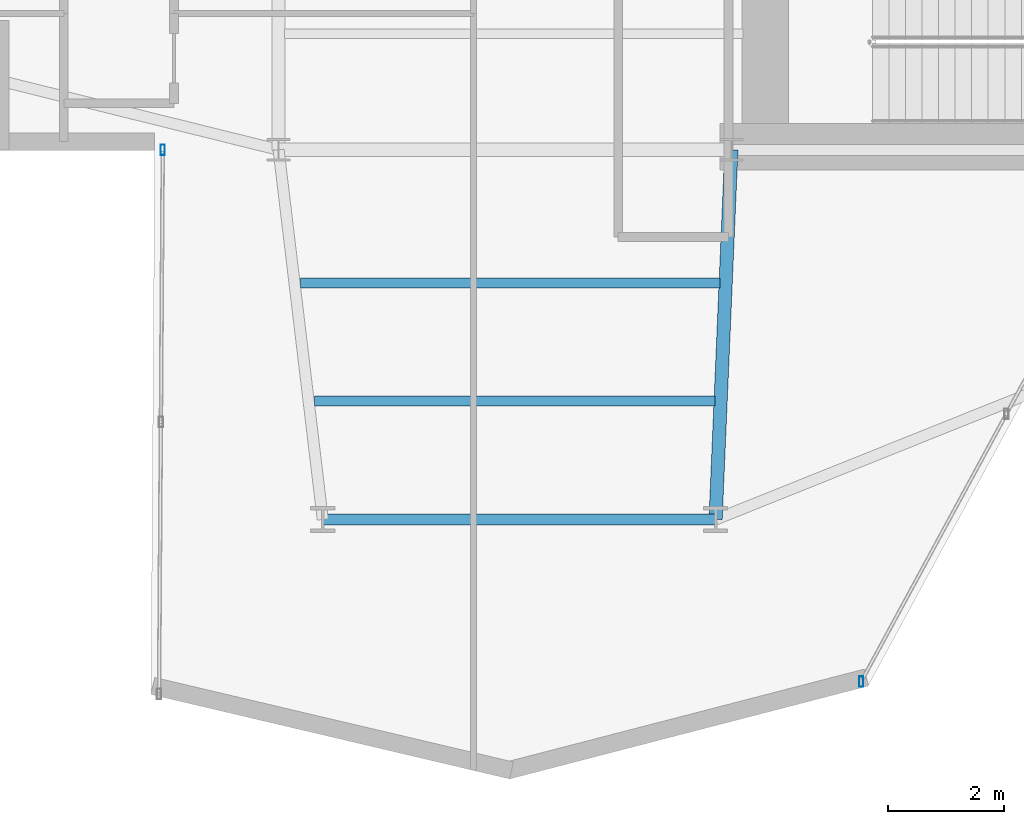
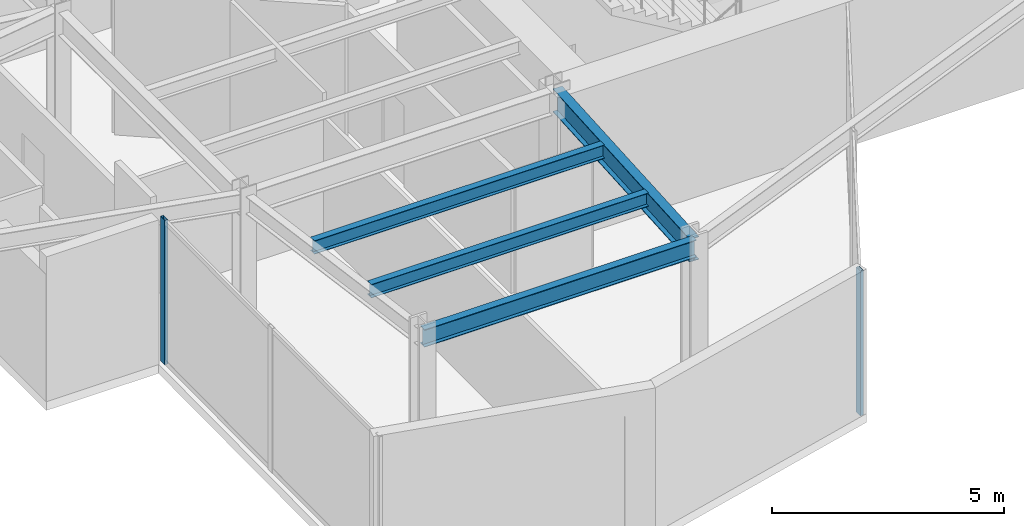
# One storey, part 5 of 26: 4 beams, 2 members, 2 elements without a shape of their own.
"""IFC4 building model written with IfcOpenShell, lengths in metres."""

from ifc_helpers import new_model, si_unit, direction, frame, origin, origin_2d, place, context, subcontext, project, spatial, hollow_rectangle, i_section, extrude, material, layer, layer_set, material_profile, profile_set, type_object, element, aggregate, save


model = new_model("IFC4")

# Units and contexts
model_context = context("Model", 3, precision=1e-05, world=origin(), true_north=direction((0.0, 1.0)))
body_context = subcontext(model_context, "Body", "Model", "MODEL_VIEW")
ifc_project = project(units=[si_unit("LENGTHUNIT", "METRE"), si_unit("AREAUNIT", "SQUARE_METRE"), si_unit("VOLUMEUNIT", "CUBIC_METRE"), si_unit("PLANEANGLEUNIT", "RADIAN"), si_unit("MASSUNIT", "GRAM", prefix="KILO")], contexts=[model_context])

# Site, building, storey
site_placement = place(None, origin())
site = spatial("IfcSite", under=ifc_project, at=site_placement, CompositionType="ELEMENT")
building_placement = place(site_placement, origin())
building = spatial("IfcBuilding", under=site, at=building_placement, Name="Veymaron Broadcast Tower", CompositionType="ELEMENT")
storey_placement = place(building_placement, frame((0.0, 0.0, 153.300048828125)))
storey = spatial("IfcBuildingStorey", under=building, at=storey_placement, Name="L35", CompositionType="ELEMENT", Elevation=153.300048828125)

# Beams
ifc_material_1 = material(Name="Structural steel ASTM A992 Gr 50", Category="steel")
ifc_material_profile_1 = material_profile(ifc_material_1, i_section(OverallWidth=0.22802734375, OverallDepth=0.60791015625, WebThickness=0.01123046875, FlangeThickness=0.017333984375, at=origin_2d()), Name="W610X113")
ifc_profile_set_1 = profile_set([ifc_material_profile_1], Name="Structural steel ASTM A992 Gr 50")
beam_type_1 = type_object("IfcBeamType", Name="BM-FG2", PredefinedType="BEAM", material=ifc_profile_set_1)
beam_1_placement = place(storey_placement, frame((39.0, 16.0, 3.505859375), z_axis=(-0.04267091012, -0.99908918192, 0.0), x_axis=(0.99908918192, -0.04267091012, 0.0)))
element("IfcBeam", 1, at=beam_1_placement, inside=storey, type_object=beam_type_1, Name="L35 primary structural floor girder", PredefinedType="BEAM", context=body_context, shape_type="SweptSolid", body=[
    extrude(i_section(OverallWidth=0.22802734375, OverallDepth=0.60791015625, WebThickness=0.01123046875, FlangeThickness=0.017333984375, at=origin_2d()), origin(), (0.0, 0.0, 1.0), 6.373779296875),
])
ifc_material_profile_2 = material_profile(ifc_material_1, i_section(OverallWidth=0.1708984375, OverallDepth=0.35498046875, WebThickness=0.007080078125, FlangeThickness=0.01171875, at=origin_2d()), Name="W360X51")
ifc_profile_set_2 = profile_set([ifc_material_profile_2], Name="Structural steel ASTM A992 Gr 50")
beam_type_2 = type_object("IfcBeamType", Name="BM-JS2", PredefinedType="JOIST", material=ifc_profile_set_2)
beam_2_placement = place(storey_placement, frame((31.57421875, 13.70751953125, 3.632568359375), z_axis=(1.0, 0.0, 0.0), x_axis=(0.0, 1.0, 0.0)))
element("IfcBeam", 2, at=beam_2_placement, inside=storey, type_object=beam_type_2, Name="L35 Arm-C secondary joist 1", PredefinedType="JOIST", context=body_context, shape_type="SweptSolid", body=[
    extrude(i_section(OverallWidth=0.1708984375, OverallDepth=0.35498046875, WebThickness=0.007080078125, FlangeThickness=0.01171875, at=origin_2d()), origin(), (0.0, 0.0, 1.0), 7.227783203125),
])
beam_3_placement = place(storey_placement, frame((31.81787109375, 11.669921875, 3.632568359375), z_axis=(1.0, 0.0, 0.0), x_axis=(0.0, 1.0, 0.0)))
element("IfcBeam", 3, at=beam_3_placement, inside=storey, type_object=beam_type_2, Name="L35 Arm-C secondary joist 2", PredefinedType="JOIST", context=body_context, shape_type="SweptSolid", body=[
    extrude(i_section(OverallWidth=0.1708984375, OverallDepth=0.35498046875, WebThickness=0.007080078125, FlangeThickness=0.01171875, at=origin_2d()), origin(), (0.0, 0.0, 1.0), 6.897216796875),
])
ifc_material_profile_3 = material_profile(ifc_material_1, i_section(OverallWidth=0.19091796875, OverallDepth=0.4599609375, WebThickness=0.010009765625, FlangeThickness=0.01611328125, at=origin_2d()), Name="W460X82")
ifc_profile_set_3 = profile_set([ifc_material_profile_3], Name="Structural steel ASTM A992 Gr 50")
beam_type_3 = type_object("IfcBeamType", Name="BM-SP1", PredefinedType="SPANDREL", material=ifc_profile_set_3)
beam_4_placement = place(storey_placement, frame((31.961669921875, 9.632080078125, 3.579833984375), z_axis=(1.0, 0.0, 0.0), x_axis=(0.0, 1.0, 0.0)))
element("IfcBeam", 4, at=beam_4_placement, inside=storey, type_object=beam_type_3, Name="L35 primary structural floor girder", PredefinedType="SPANDREL", context=body_context, shape_type="SweptSolid", body=[
    extrude(i_section(OverallWidth=0.19091796875, OverallDepth=0.4599609375, WebThickness=0.010009765625, FlangeThickness=0.01611328125, at=origin_2d()), origin(), (0.0, 0.0, 1.0), 6.766357421875),
])

# Curtain wall, member
ifc_material_2 = material(Name="Anodised aluminium AA 6063-T6 and laminated low-E dark glass", Category="aluminium")
ifc_layer = layer(ifc_material_2, 0.179931640625)
ifc_layer_set = layer_set([ifc_layer], Name="Anodised aluminium AA 6063-T6 and laminated low-E dark glass")
curtain_wall_type = type_object("IfcCurtainWallType", Name="CW-SYS-03", PredefinedType="NOTDEFINED", material=ifc_layer_set)
curtain_wall_1_placement = place(storey_placement, origin())
curtain_wall_1 = element("IfcCurtainWall", 5, at=curtain_wall_1_placement, inside=storey, type_object=curtain_wall_type, Name="L35 dark-glass curtain wall CW-L35-E17-1", PredefinedType="NOTDEFINED")
ifc_material_3 = material(Name="Anodised aluminium AA 6063-T6", Category="aluminium")
ifc_material_profile_4 = material_profile(ifc_material_3, hollow_rectangle(XDim=0.074951171875, YDim=0.179931640625, WallThickness=0.0048828125, at=origin_2d()), Name="AL180X75X5")
ifc_profile_set_4 = profile_set([ifc_material_profile_4], Name="Anodised aluminium AA 6063-T6")
member_type = type_object("IfcMemberType", Name="CW-MUL-02", PredefinedType="MULLION", material=ifc_profile_set_4)
member_1_placement = place(storey_placement, frame((29.204833984375, 15.9990234375, 0.0), z_axis=(0.0, 0.0, 1.0), x_axis=(1.0, 0.0, 0.0)))
member_1 = element("IfcMember", 6, at=member_1_placement, type_object=member_type, Name="CW-L35-E17-1 mullion 0", PredefinedType="MULLION", context=body_context, shape_type="SweptSolid", body=[
    extrude(hollow_rectangle(XDim=0.074951171875, YDim=0.179931640625, WallThickness=0.0048828125, at=origin_2d()), origin(), (0.0, 0.0, 1.0), 3.81005859375),
])
aggregate(curtain_wall_1, [member_1])

curtain_wall_2_placement = place(storey_placement, origin())
curtain_wall_2 = element("IfcCurtainWall", 7, at=curtain_wall_2_placement, inside=storey, type_object=curtain_wall_type, Name="L35 dark-glass curtain wall CW-L35-E20-1", PredefinedType="NOTDEFINED")
member_2_placement = place(storey_placement, frame((41.237548828125, 6.839599609375, 0.0), z_axis=(0.0, 0.0, 1.0), x_axis=(1.0, 0.0, 0.0)))
member_2 = element("IfcMember", 8, at=member_2_placement, type_object=member_type, Name="CW-L35-E20-1 mullion 0", PredefinedType="MULLION", context=body_context, shape_type="SweptSolid", body=[
    extrude(hollow_rectangle(XDim=0.074951171875, YDim=0.179931640625, WallThickness=0.0048828125, at=origin_2d()), origin(), (0.0, 0.0, 1.0), 3.81005859375),
])
aggregate(curtain_wall_2, [member_2])

save(model, "model.ifc")
